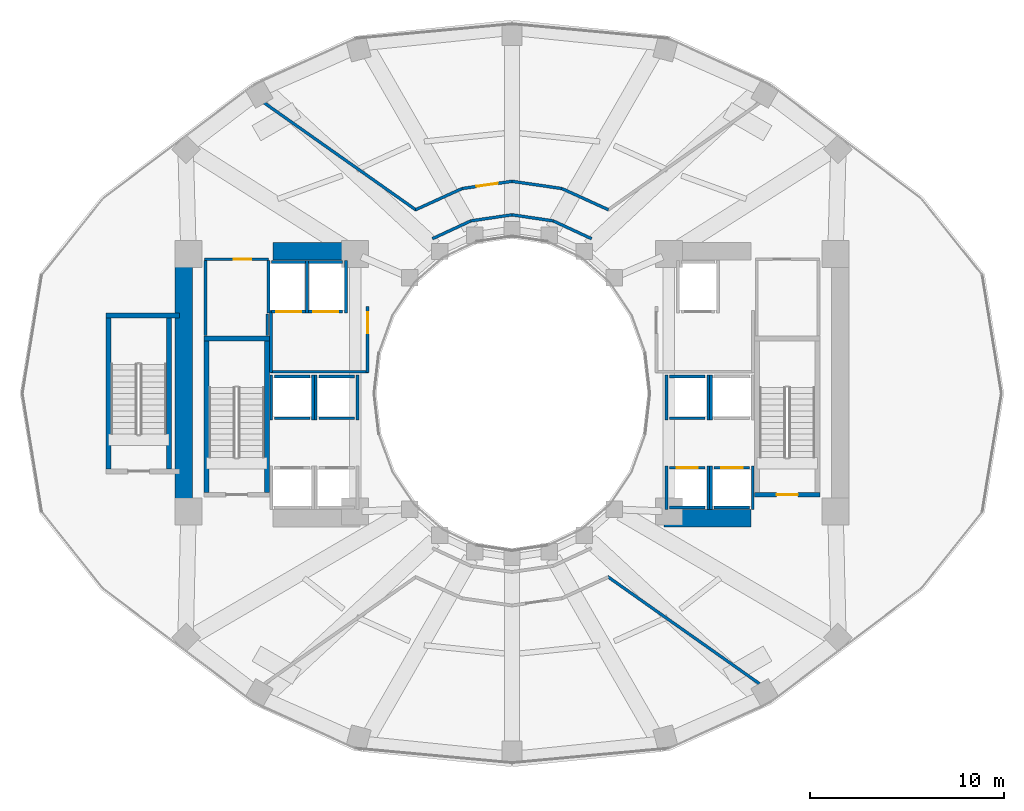
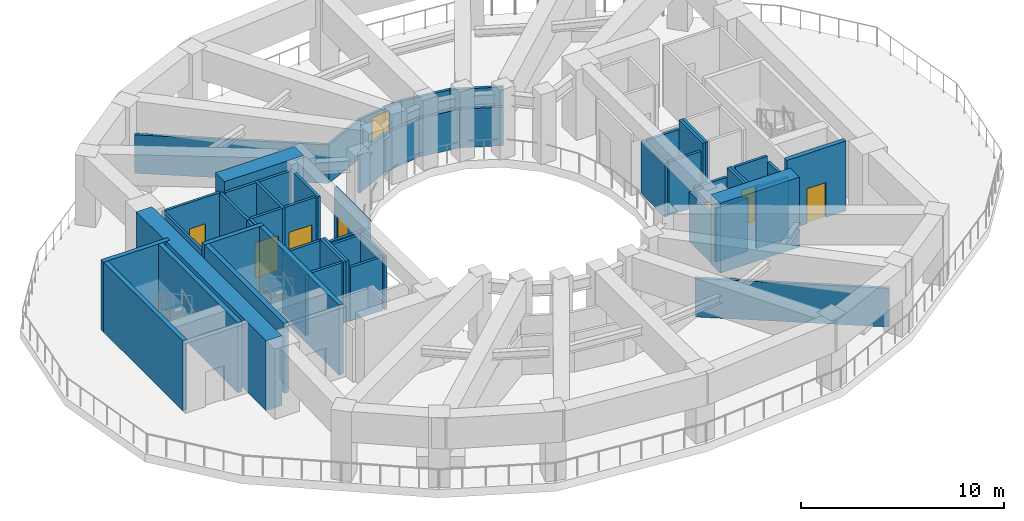
# One storey, part 3 of 10: 54 walls, 8 doors, 8 openings.
"""IFC4 building model written with IfcOpenShell, lengths in metres."""

from ifc_helpers import new_model, si_unit, direction, frame, frame_2d, origin, place, context, subcontext, project, spatial, rectangle, extrude, material, layer, layer_set, type_object, element, fill, save


model = new_model("IFC4")

# Units and contexts
model_context = context("Model", 3, precision=1e-05, world=origin(), true_north=direction((0.0, 1.0)))
body_context = subcontext(model_context, "Body", "Model", "MODEL_VIEW")
ifc_project = project(units=[si_unit("LENGTHUNIT", "METRE"), si_unit("AREAUNIT", "SQUARE_METRE"), si_unit("VOLUMEUNIT", "CUBIC_METRE"), si_unit("PLANEANGLEUNIT", "RADIAN"), si_unit("MASSUNIT", "GRAM", prefix="KILO")], contexts=[model_context])

# Site, building, storey
site_placement = place(None, origin())
site = spatial("IfcSite", under=ifc_project, at=site_placement, CompositionType="ELEMENT")
building_placement = place(site_placement, origin())
building = spatial("IfcBuilding", under=site, at=building_placement, Name="Solvane Sanctuary Tower", CompositionType="ELEMENT")
storey_placement = place(building_placement, frame((0.0, 0.0, 69.0)))
storey = spatial("IfcBuildingStorey", under=building, at=storey_placement, Name="L20", CompositionType="ELEMENT", Elevation=69.0)

# Walls
ifc_material_1 = material(Name="Concrete C70/85", Category="concrete")
ifc_layer_1 = layer(ifc_material_1, 0.89990234375, Name="Concrete C70/85")
ifc_layer_set_1 = layer_set([ifc_layer_1], Name="Concrete C70/85")
wall_type_1 = type_object("IfcWallType", Name="Wall W-CORE-900", PredefinedType="SHEAR", material=ifc_layer_set_1)
wall_1_placement = place(storey_placement, frame((15.050048828125, 17.050048828125, 0.0), z_axis=(0.0, 0.0, 1.0), x_axis=(0.0, 1.0, 0.0)))
element("IfcWall", 1, at=wall_1_placement, inside=storey, type_object=wall_type_1, Name="L20 Core Shear Wall WC-W", PredefinedType="SHEAR", context=body_context, shape_type="SweptSolid", body=[
    extrude(rectangle(XDim=12.800048828125, YDim=0.89990234375, at=frame_2d((6.39990234375, 0.0))), origin(), (0.0, 0.0, 1.0), 4.199951171875),
])
for number, where, z_axis, x_axis, name in (
    (2, (19.64990234375, 30.35009765625, 0.0), (0.0, 0.0, 1.0), (1.0, 0.0, 0.0), "L20 Core Shear Wall WC-N"),
    (3, (39.85009765625, 16.550048828125, 0.0), (0.0, 0.0, 1.0), (1.0, 0.0, 0.0), "L20 Core Shear Wall EC-S"),
):
    element("IfcWall", number, at=place(storey_placement, frame(where, z_axis=z_axis, x_axis=x_axis)), inside=storey, type_object=wall_type_1, Name=name, PredefinedType="SHEAR", context=body_context, shape_type="SweptSolid", body=[
        extrude(rectangle(XDim=4.5, YDim=0.89990234375, at=frame_2d((2.25, 0.0))), origin(), (0.0, 0.0, 1.0), 4.199951171875),
    ])
ifc_material_2 = material(Name="Acoustic Gypsum Partition Board")
ifc_layer_2 = layer(ifc_material_2, 0.14990234375, Name="Acoustic Gypsum Partition Board")
ifc_layer_set_2 = layer_set([ifc_layer_2], Name="Acoustic Gypsum Partition Board")
wall_type_2 = type_object("IfcWallType", Name="Wall W-CORR-150", PredefinedType="PARTITIONING", material=ifc_layer_set_2)
wall_2_placement = place(storey_placement, frame((19.52001953125, 24.1201171875, 0.0), z_axis=(0.0, 0.0, 1.0), x_axis=(1.0, 0.0, 0.0)))
element("IfcWall", 4, at=wall_2_placement, inside=storey, type_object=wall_type_2, Name="L20 West Firefighting Lobby South Wall", PredefinedType="PARTITIONING", context=body_context, shape_type="SweptSolid", body=[
    extrude(rectangle(XDim=5.080078125, YDim=0.14990234375, at=frame_2d((2.5400390625, 0.0))), origin(), (0.0, 0.0, 1.0), 3.219970703125),
])
wall_3_placement = place(storey_placement, frame((19.550048828125, 24.080078125, 0.0), z_axis=(0.0, 0.0, 1.0), x_axis=(0.0, 1.0, 0.0)))
element("IfcWall", 5, at=wall_3_placement, inside=storey, type_object=wall_type_2, Name="L20 West Firefighting Lobby West Wall", PredefinedType="PARTITIONING", context=body_context, shape_type="SweptSolid", body=[
    extrude(rectangle(XDim=3.199951171875, YDim=0.14990234375, at=frame_2d((1.60009765625, 0.0))), origin(), (0.0, 0.0, 1.0), 3.675048828125),
])

# Wall, opening, door
wall_4_placement = place(storey_placement, frame((24.550048828125, 24.080078125, 0.0), z_axis=(0.0, 0.0, 1.0), x_axis=(0.0, 1.0, 0.0)))
wall_4 = element("IfcWall", 6, at=wall_4_placement, inside=storey, type_object=wall_type_2, Name="L20 West Firefighting Lobby East Wall", PredefinedType="PARTITIONING", context=body_context, shape_type="SweptSolid", body=[
    extrude(rectangle(XDim=3.39990234375, YDim=0.14990234375, at=frame_2d((1.699951171875, 0.0))), origin(), (0.0, 0.0, 1.0), 3.675048828125),
])
opening_1_placement = place(wall_4_placement, frame((2.02001953125, 0.0, 0.0)))
opening_1 = element("IfcOpeningElement", 7, at=opening_1_placement, cuts=wall_4, Name="Opening D-L20-04", PredefinedType="OPENING", context=body_context, shape_type="SweptSolid", body=[
    extrude(rectangle(XDim=1.10009765625, YDim=2.10009765625, at=frame_2d((0.550048828125, 1.050048828125))), frame((0.0, 0.0849609375, 0.0), z_axis=(0.0, -1.0, 0.0), x_axis=(1.0, 0.0, 0.0)), (0.0, 0.0, 1.0), 0.169921875),
])
ifc_material_3 = material(Name="Architectural Stainless Steel 316", Category="steel")
door_type_1 = type_object("IfcDoorType", Name="Door D-FFL", OperationType="NOTDEFINED", PredefinedType="DOOR", material=ifc_material_3)
door_1_placement = place(opening_1_placement, origin())
door_1 = element("IfcDoor", 8, at=door_1_placement, inside=storey, type_object=door_type_1, Name="L20 West Firefighting Lobby Fire Door", OperationType="SINGLE_SWING_LEFT", OverallHeight=2.10009765625, OverallWidth=1.10009765625, PredefinedType="DOOR", context=body_context, shape_type="SweptSolid", body=[
    extrude(rectangle(XDim=1.10009765625, YDim=2.10009765625, at=frame_2d((0.550048828125, 1.050048828125))), frame((0.0, 0.02490234375, 0.0), z_axis=(0.0, -1.0, 0.0), x_axis=(1.0, 0.0, 0.0)), (0.0, 0.0, 1.0), 0.050048828125),
])
fill(opening_1, door_1)

# Walls
wall_5_placement = place(storey_placement, frame((36.110107421875, 30.98486328125, 0.0), z_axis=(0.0, 0.0, 1.0), x_axis=(-0.906943449489, 0.421252393975, 0.0)))
element("IfcWall", 9, at=wall_5_placement, inside=storey, type_object=wall_type_2, Name="L20 Light-Well Corridor Rim Wall N1", PredefinedType="PARTITIONING", context=body_context, shape_type="SweptSolid", body=[
    extrude(rectangle(XDim=2.18603515625, YDim=0.14990234375, at=frame_2d((1.093017578125, 0.0))), origin(), (0.0, 0.0, 1.0), 2.320068359375),
])
for number, where, z_axis, x_axis, name in (
    (10, (34.12744140625, 31.90576171875, 0.0), (0.0, 0.0, 1.0), (-0.989268584896, 0.146108408166, 0.0), "L20 Light-Well Corridor Rim Wall N2"),
    (11, (32.0, 32.219970703125, 0.0), (0.0, 0.0, 1.0), (-0.989268584896, -0.146108408166, 0.0), "L20 Light-Well Corridor Rim Wall N3"),
):
    element("IfcWall", number, at=place(storey_placement, frame(where, z_axis=z_axis, x_axis=x_axis)), inside=storey, type_object=wall_type_2, Name=name, PredefinedType="PARTITIONING", context=body_context, shape_type="SweptSolid", body=[
        extrude(rectangle(XDim=2.150634765625, YDim=0.14990234375, at=frame_2d((1.0751953125, 0.0))), origin(), (0.0, 0.0, 1.0), 2.320068359375),
    ])
wall_6_placement = place(storey_placement, frame((29.87255859375, 31.90576171875, 0.0), z_axis=(0.0, 0.0, 1.0), x_axis=(-0.906943449489, -0.421252393975, 0.0)))
element("IfcWall", 12, at=wall_6_placement, inside=storey, type_object=wall_type_2, Name="L20 Light-Well Corridor Rim Wall N4", PredefinedType="PARTITIONING", context=body_context, shape_type="SweptSolid", body=[
    extrude(rectangle(XDim=2.18603515625, YDim=0.14990234375, at=frame_2d((1.093017578125, 0.0))), origin(), (0.0, 0.0, 1.0), 2.320068359375),
])
wall_7_placement = place(storey_placement, frame((27.06591796875, 32.4541015625, 0.0), z_axis=(0.0, 0.0, 1.0), x_axis=(-0.817064271391, 0.576546595182, 0.0)))
element("IfcWall", 13, at=wall_7_placement, inside=storey, type_object=wall_type_2, Name="L20 Refuge Area Radial Screen 120", PredefinedType="PARTITIONING", context=body_context, shape_type="SweptSolid", body=[
    extrude(rectangle(XDim=9.61376953125, YDim=0.14990234375, at=frame_2d((4.806884765625, 0.0))), origin(), (0.0, 0.0, 1.0), 2.320068359375),
])
wall_8_placement = place(storey_placement, frame((36.98095703125, 32.479248046875, 0.0), z_axis=(0.0, 0.0, 1.0), x_axis=(-0.909819048293, 0.415005179923, 0.0)))
element("IfcWall", 14, at=wall_8_placement, inside=storey, type_object=wall_type_2, Name="L20 Refuge Lobby Wall 1", PredefinedType="PARTITIONING", context=body_context, shape_type="SweptSolid", body=[
    extrude(rectangle(XDim=2.64599609375, YDim=0.14990234375, at=frame_2d((1.322998046875, 0.0))), origin(), (0.0, 0.0, 1.0), 2.320068359375),
])
wall_9_placement = place(storey_placement, frame((34.576904296875, 33.576416015625, 0.0), z_axis=(0.0, 0.0, 1.0), x_axis=(-0.989670234806, 0.143362569518, 0.0)))
element("IfcWall", 15, at=wall_9_placement, inside=storey, type_object=wall_type_2, Name="L20 Refuge Lobby Wall 1", PredefinedType="PARTITIONING", context=body_context, shape_type="SweptSolid", body=[
    extrude(rectangle(XDim=2.60546875, YDim=0.14990234375, at=frame_2d((1.302734375, 0.0))), origin(), (0.0, 0.0, 1.0), 2.320068359375),
])

# Wall, opening, door
wall_10_placement = place(storey_placement, frame((32.001708984375, 33.949951171875, 0.0), z_axis=(0.0, 0.0, 1.0), x_axis=(-0.989670234806, -0.143362569518, 0.0)))
wall_10 = element("IfcWall", 16, at=wall_10_placement, inside=storey, type_object=wall_type_2, Name="L20 Refuge Lobby Wall 1", PredefinedType="PARTITIONING", context=body_context, shape_type="SweptSolid", body=[
    extrude(rectangle(XDim=2.60546875, YDim=0.14990234375, at=frame_2d((1.302734375, 0.0))), origin(), (0.0, 0.0, 1.0), 2.320068359375),
])
opening_2_placement = place(wall_10_placement, frame((0.752685546875, 0.0, 0.0)))
opening_2 = element("IfcOpeningElement", 17, at=opening_2_placement, cuts=wall_10, Name="Opening D-L20-06", PredefinedType="OPENING", context=body_context, shape_type="SweptSolid", body=[
    extrude(rectangle(XDim=1.10009765625, YDim=2.10009765625, at=frame_2d((0.550048828125, 1.050048828125))), frame((0.0, 0.0849609375, 0.0), z_axis=(0.0, -1.0, 0.0), x_axis=(1.0, 0.0, 0.0)), (0.0, 0.0, 1.0), 0.169921875),
])
door_2_placement = place(opening_2_placement, origin())
door_2 = element("IfcDoor", 18, at=door_2_placement, inside=storey, type_object=door_type_1, Name="L20 North Open Sky Refuge Deck Door", OperationType="SINGLE_SWING_LEFT", OverallHeight=2.10009765625, OverallWidth=1.10009765625, PredefinedType="DOOR", context=body_context, shape_type="SweptSolid", body=[
    extrude(rectangle(XDim=1.10009765625, YDim=2.10009765625, at=frame_2d((0.550048828125, 1.050048828125))), frame((0.0, 0.02490234375, 0.0), z_axis=(0.0, -1.0, 0.0), x_axis=(1.0, 0.0, 0.0)), (0.0, 0.0, 1.0), 0.050048828125),
])
fill(opening_2, door_2)

# Walls
wall_11_placement = place(storey_placement, frame((29.426513671875, 33.577392578125, 0.0), z_axis=(0.0, 0.0, 1.0), x_axis=(-0.909819048293, -0.415005179923, 0.0)))
element("IfcWall", 19, at=wall_11_placement, inside=storey, type_object=wall_type_2, Name="L20 Refuge Lobby Wall 1", PredefinedType="PARTITIONING", context=body_context, shape_type="SweptSolid", body=[
    extrude(rectangle(XDim=2.64599609375, YDim=0.14990234375, at=frame_2d((1.322998046875, 0.0))), origin(), (0.0, 0.0, 1.0), 2.320068359375),
])
wall_12_placement = place(storey_placement, frame((36.93408203125, 13.5458984375, 0.0), z_axis=(0.0, 0.0, 1.0), x_axis=(0.817064271391, -0.576546595182, 0.0)))
element("IfcWall", 20, at=wall_12_placement, inside=storey, type_object=wall_type_2, Name="L20 Refuge Area Radial Screen 300", PredefinedType="PARTITIONING", context=body_context, shape_type="SweptSolid", body=[
    extrude(rectangle(XDim=9.61376953125, YDim=0.14990234375, at=frame_2d((4.806884765625, 0.0))), origin(), (0.0, 0.0, 1.0), 2.320068359375),
])

# Wall, opening, door
ifc_material_4 = material(Name="Concrete C50/60", Category="concrete")
ifc_layer_3 = layer(ifc_material_4, 0.14990234375, Name="Concrete C50/60")
ifc_layer_set_3 = layer_set([ifc_layer_3], Name="Concrete C50/60")
wall_type_3 = type_object("IfcWallType", Name="Wall W-SHAFT-150", PredefinedType="SOLIDWALL", material=ifc_layer_set_3)
wall_13_placement = place(storey_placement, frame((40.139892578125, 19.159912109375, 0.0), z_axis=(0.0, 0.0, 1.0), x_axis=(1.0, 0.0, 0.0)))
wall_13 = element("IfcWall", 21, at=wall_13_placement, inside=storey, type_object=wall_type_3, Name="L20 PL-3 Lift Shaft Wall F", PredefinedType="SOLIDWALL", context=body_context, shape_type="SweptSolid", body=[
    extrude(rectangle(XDim=1.820068359375, YDim=0.14990234375, at=frame_2d((0.91015625, 0.0))), origin(), (0.0, 0.0, 1.0), 3.219970703125),
])
opening_3_placement = place(wall_13_placement, frame((0.360107421875, 0.0, 0.0)))
opening_3 = element("IfcOpeningElement", 22, at=opening_3_placement, cuts=wall_13, Name="Opening LD-L20-03", PredefinedType="OPENING", context=body_context, shape_type="SweptSolid", body=[
    extrude(rectangle(XDim=1.10009765625, YDim=2.10009765625, at=frame_2d((0.550048828125, 1.050048828125))), frame((0.0, 0.0849609375, 0.0), z_axis=(0.0, -1.0, 0.0), x_axis=(1.0, 0.0, 0.0)), (0.0, 0.0, 1.0), 0.169921875),
])
door_type_2 = type_object("IfcDoorType", Name="Door LD-PASS-1100", OperationType="NOTDEFINED", PredefinedType="DOOR", material=ifc_material_3)
door_3_placement = place(opening_3_placement, origin())
door_3 = element("IfcDoor", 23, at=door_3_placement, inside=storey, type_object=door_type_2, Name="L20 PL-3 Lift Landing Door", OperationType="DOUBLE_DOOR_SLIDING", OverallHeight=2.10009765625, OverallWidth=1.10009765625, PredefinedType="DOOR", context=body_context, shape_type="SweptSolid", body=[
    extrude(rectangle(XDim=1.10009765625, YDim=2.10009765625, at=frame_2d((0.550048828125, 1.050048828125))), frame((0.0, 0.02490234375, 0.0), z_axis=(0.0, -1.0, 0.0), x_axis=(1.0, 0.0, 0.0)), (0.0, 0.0, 1.0), 0.050048828125),
])
fill(opening_3, door_3)

# Walls
wall_14_placement = place(storey_placement, frame((40.139892578125, 17.10009765625, 0.0), z_axis=(0.0, 0.0, 1.0), x_axis=(1.0, 0.0, 0.0)))
element("IfcWall", 24, at=wall_14_placement, inside=storey, type_object=wall_type_3, Name="L20 PL-3 Lift Shaft Wall B", PredefinedType="SOLIDWALL", context=body_context, shape_type="SweptSolid", body=[
    extrude(rectangle(XDim=1.820068359375, YDim=0.14990234375, at=frame_2d((0.91015625, 0.0))), origin(), (0.0, 0.0, 1.0), 3.219970703125),
])
wall_15_placement = place(storey_placement, frame((39.969970703125, 17.02001953125, 0.0), z_axis=(0.0, 0.0, 1.0), x_axis=(0.0, 1.0, 0.0)))
element("IfcWall", 25, at=wall_15_placement, inside=storey, type_object=wall_type_3, Name="L20 PL-3 Lift Shaft Wall S1", PredefinedType="SOLIDWALL", context=body_context, shape_type="SweptSolid", body=[
    extrude(rectangle(XDim=2.219970703125, YDim=0.14990234375, at=frame_2d((1.10986328125, 0.0))), origin(), (0.0, 0.0, 1.0), 2.972900390625),
])
wall_16_placement = place(storey_placement, frame((42.1298828125, 17.02001953125, 0.0), z_axis=(0.0, 0.0, 1.0), x_axis=(0.0, 1.0, 0.0)))
element("IfcWall", 26, at=wall_16_placement, inside=storey, type_object=wall_type_3, Name="L20 PL-3 Lift Shaft Wall S2", PredefinedType="SOLIDWALL", context=body_context, shape_type="SweptSolid", body=[
    extrude(rectangle(XDim=2.219970703125, YDim=0.14990234375, at=frame_2d((1.10986328125, 0.0))), origin(), (0.0, 0.0, 1.0), 3.675048828125),
])

# Wall, opening, door
wall_17_placement = place(storey_placement, frame((42.43994140625, 19.159912109375, 0.0), z_axis=(0.0, 0.0, 1.0), x_axis=(1.0, 0.0, 0.0)))
wall_17 = element("IfcWall", 27, at=wall_17_placement, inside=storey, type_object=wall_type_3, Name="L20 PL-4 Lift Shaft Wall F", PredefinedType="SOLIDWALL", context=body_context, shape_type="SweptSolid", body=[
    extrude(rectangle(XDim=1.820068359375, YDim=0.14990234375, at=frame_2d((0.91015625, 0.0))), origin(), (0.0, 0.0, 1.0), 3.675048828125),
])
opening_4_placement = place(wall_17_placement, frame((0.360107421875, 0.0, 0.0)))
opening_4 = element("IfcOpeningElement", 28, at=opening_4_placement, cuts=wall_17, Name="Opening LD-L20-04", PredefinedType="OPENING", context=body_context, shape_type="SweptSolid", body=[
    extrude(rectangle(XDim=1.10009765625, YDim=2.10009765625, at=frame_2d((0.550048828125, 1.050048828125))), frame((0.0, 0.0849609375, 0.0), z_axis=(0.0, -1.0, 0.0), x_axis=(1.0, 0.0, 0.0)), (0.0, 0.0, 1.0), 0.169921875),
])
door_4_placement = place(opening_4_placement, origin())
door_4 = element("IfcDoor", 29, at=door_4_placement, inside=storey, type_object=door_type_2, Name="L20 PL-4 Lift Landing Door", OperationType="DOUBLE_DOOR_SLIDING", OverallHeight=2.10009765625, OverallWidth=1.10009765625, PredefinedType="DOOR", context=body_context, shape_type="SweptSolid", body=[
    extrude(rectangle(XDim=1.10009765625, YDim=2.10009765625, at=frame_2d((0.550048828125, 1.050048828125))), frame((0.0, 0.02490234375, 0.0), z_axis=(0.0, -1.0, 0.0), x_axis=(1.0, 0.0, 0.0)), (0.0, 0.0, 1.0), 0.050048828125),
])
fill(opening_4, door_4)

# Walls
wall_18_placement = place(storey_placement, frame((42.43994140625, 17.10009765625, 0.0), z_axis=(0.0, 0.0, 1.0), x_axis=(1.0, 0.0, 0.0)))
element("IfcWall", 30, at=wall_18_placement, inside=storey, type_object=wall_type_3, Name="L20 PL-4 Lift Shaft Wall B", PredefinedType="SOLIDWALL", context=body_context, shape_type="SweptSolid", body=[
    extrude(rectangle(XDim=1.820068359375, YDim=0.14990234375, at=frame_2d((0.91015625, 0.0))), origin(), (0.0, 0.0, 1.0), 3.675048828125),
])
wall_19_placement = place(storey_placement, frame((42.27001953125, 17.02001953125, 0.0), z_axis=(0.0, 0.0, 1.0), x_axis=(0.0, 1.0, 0.0)))
element("IfcWall", 31, at=wall_19_placement, inside=storey, type_object=wall_type_3, Name="L20 PL-4 Lift Shaft Wall S1", PredefinedType="SOLIDWALL", context=body_context, shape_type="SweptSolid", body=[
    extrude(rectangle(XDim=2.219970703125, YDim=0.14990234375, at=frame_2d((1.10986328125, 0.0))), origin(), (0.0, 0.0, 1.0), 3.675048828125),
])
wall_20_placement = place(storey_placement, frame((44.429931640625, 17.02001953125, 0.0), z_axis=(0.0, 0.0, 1.0), x_axis=(0.0, 1.0, 0.0)))
element("IfcWall", 32, at=wall_20_placement, inside=storey, type_object=wall_type_3, Name="L20 PL-4 Lift Shaft Wall S2", PredefinedType="SOLIDWALL", context=body_context, shape_type="SweptSolid", body=[
    extrude(rectangle(XDim=2.219970703125, YDim=0.14990234375, at=frame_2d((1.10986328125, 0.0))), origin(), (0.0, 0.0, 1.0), 3.219970703125),
])
for number, where, z_axis, x_axis, name in (
    (33, (19.739990234375, 21.719970703125, 0.0), (0.0, 0.0, 1.0), (1.0, 0.0, 0.0), "L20 PM-1 Lift Shaft Wall F"),
    (34, (19.739990234375, 23.8798828125, 0.0), (0.0, 0.0, 1.0), (1.0, 0.0, 0.0), "L20 PM-1 Lift Shaft Wall B"),
):
    element("IfcWall", number, at=place(storey_placement, frame(where, z_axis=z_axis, x_axis=x_axis)), inside=storey, type_object=wall_type_3, Name=name, PredefinedType="SOLIDWALL", context=body_context, shape_type="SweptSolid", body=[
        extrude(rectangle(XDim=1.820068359375, YDim=0.14990234375, at=frame_2d((0.91015625, 0.0))), origin(), (0.0, 0.0, 1.0), 3.675048828125),
    ])
for number, where, z_axis, x_axis, name in (
    (35, (19.570068359375, 21.639892578125, 0.0), (0.0, 0.0, 1.0), (0.0, 1.0, 0.0), "L20 PM-1 Lift Shaft Wall S1"),
    (36, (21.72998046875, 21.639892578125, 0.0), (0.0, 0.0, 1.0), (0.0, 1.0, 0.0), "L20 PM-1 Lift Shaft Wall S2"),
    (37, (42.27001953125, 21.639892578125, 0.0), (0.0, 0.0, 1.0), (0.0, 1.0, 0.0), "L20 PM-2 Lift Shaft Wall S1"),
):
    element("IfcWall", number, at=place(storey_placement, frame(where, z_axis=z_axis, x_axis=x_axis)), inside=storey, type_object=wall_type_3, Name=name, PredefinedType="SOLIDWALL", context=body_context, shape_type="SweptSolid", body=[
        extrude(rectangle(XDim=2.320068359375, YDim=0.14990234375, at=frame_2d((1.16015625, 0.0))), origin(), (0.0, 0.0, 1.0), 3.675048828125),
    ])
for number, where, z_axis, x_axis, name in (
    (38, (22.0400390625, 21.719970703125, 0.0), (0.0, 0.0, 1.0), (1.0, 0.0, 0.0), "L20 PH-1 Lift Shaft Wall F"),
    (39, (22.0400390625, 23.8798828125, 0.0), (0.0, 0.0, 1.0), (1.0, 0.0, 0.0), "L20 PH-1 Lift Shaft Wall B"),
):
    element("IfcWall", number, at=place(storey_placement, frame(where, z_axis=z_axis, x_axis=x_axis)), inside=storey, type_object=wall_type_3, Name=name, PredefinedType="SOLIDWALL", context=body_context, shape_type="SweptSolid", body=[
        extrude(rectangle(XDim=1.820068359375, YDim=0.14990234375, at=frame_2d((0.91015625, 0.0))), origin(), (0.0, 0.0, 1.0), 3.219970703125),
    ])
wall_21_placement = place(storey_placement, frame((21.8701171875, 21.639892578125, 0.0), z_axis=(0.0, 0.0, 1.0), x_axis=(0.0, 1.0, 0.0)))
element("IfcWall", 40, at=wall_21_placement, inside=storey, type_object=wall_type_3, Name="L20 PH-1 Lift Shaft Wall S1", PredefinedType="SOLIDWALL", context=body_context, shape_type="SweptSolid", body=[
    extrude(rectangle(XDim=2.320068359375, YDim=0.14990234375, at=frame_2d((1.16015625, 0.0))), origin(), (0.0, 0.0, 1.0), 3.675048828125),
])
wall_22_placement = place(storey_placement, frame((24.030029296875, 21.639892578125, 0.0), z_axis=(0.0, 0.0, 1.0), x_axis=(0.0, 1.0, 0.0)))
element("IfcWall", 41, at=wall_22_placement, inside=storey, type_object=wall_type_3, Name="L20 PH-1 Lift Shaft Wall S2", PredefinedType="SOLIDWALL", context=body_context, shape_type="SweptSolid", body=[
    extrude(rectangle(XDim=2.320068359375, YDim=0.14990234375, at=frame_2d((1.16015625, 0.0))), origin(), (0.0, 0.0, 1.0), 3.219970703125),
])
for number, where, z_axis, x_axis, name in (
    (42, (40.139892578125, 21.719970703125, 0.0), (0.0, 0.0, 1.0), (1.0, 0.0, 0.0), "L20 PH-2 Lift Shaft Wall F"),
    (43, (40.139892578125, 23.8798828125, 0.0), (0.0, 0.0, 1.0), (1.0, 0.0, 0.0), "L20 PH-2 Lift Shaft Wall B"),
):
    element("IfcWall", number, at=place(storey_placement, frame(where, z_axis=z_axis, x_axis=x_axis)), inside=storey, type_object=wall_type_3, Name=name, PredefinedType="SOLIDWALL", context=body_context, shape_type="SweptSolid", body=[
        extrude(rectangle(XDim=1.820068359375, YDim=0.14990234375, at=frame_2d((0.91015625, 0.0))), origin(), (0.0, 0.0, 1.0), 3.219970703125),
    ])
wall_23_placement = place(storey_placement, frame((39.969970703125, 21.639892578125, 0.0), z_axis=(0.0, 0.0, 1.0), x_axis=(0.0, 1.0, 0.0)))
element("IfcWall", 44, at=wall_23_placement, inside=storey, type_object=wall_type_3, Name="L20 PH-2 Lift Shaft Wall S1", PredefinedType="SOLIDWALL", context=body_context, shape_type="SweptSolid", body=[
    extrude(rectangle(XDim=2.320068359375, YDim=0.14990234375, at=frame_2d((1.16015625, 0.0))), origin(), (0.0, 0.0, 1.0), 3.219970703125),
])
wall_24_placement = place(storey_placement, frame((42.1298828125, 21.639892578125, 0.0), z_axis=(0.0, 0.0, 1.0), x_axis=(0.0, 1.0, 0.0)))
element("IfcWall", 45, at=wall_24_placement, inside=storey, type_object=wall_type_3, Name="L20 PH-2 Lift Shaft Wall S2", PredefinedType="SOLIDWALL", context=body_context, shape_type="SweptSolid", body=[
    extrude(rectangle(XDim=2.320068359375, YDim=0.14990234375, at=frame_2d((1.16015625, 0.0))), origin(), (0.0, 0.0, 1.0), 3.675048828125),
])

# Wall, opening, door
wall_25_placement = place(storey_placement, frame((19.590087890625, 27.219970703125, 0.0), z_axis=(0.0, 0.0, 1.0), x_axis=(1.0, 0.0, 0.0)))
wall_25 = element("IfcWall", 46, at=wall_25_placement, inside=storey, type_object=wall_type_3, Name="L20 FFL-1 Lift Shaft Wall F", PredefinedType="SOLIDWALL", context=body_context, shape_type="SweptSolid", body=[
    extrude(rectangle(XDim=1.760009765625, YDim=0.14990234375, at=frame_2d((0.8798828125, 0.0))), origin(), (0.0, 0.0, 1.0), 3.675048828125),
])
opening_5_placement = place(wall_25_placement, frame((0.22998046875, 0.0, 0.0)))
opening_5 = element("IfcOpeningElement", 47, at=opening_5_placement, cuts=wall_25, Name="Opening LD-L20-05", PredefinedType="OPENING", context=body_context, shape_type="SweptSolid", body=[
    extrude(rectangle(XDim=1.300048828125, YDim=2.10009765625, at=frame_2d((0.64990234375, 1.050048828125))), frame((0.0, 0.0849609375, 0.0), z_axis=(0.0, -1.0, 0.0), x_axis=(1.0, 0.0, 0.0)), (0.0, 0.0, 1.0), 0.169921875),
])
door_type_3 = type_object("IfcDoorType", Name="Door LD-FFL-1300", OperationType="NOTDEFINED", PredefinedType="DOOR", material=ifc_material_3)
door_5_placement = place(opening_5_placement, origin())
door_5 = element("IfcDoor", 48, at=door_5_placement, inside=storey, type_object=door_type_3, Name="L20 FFL-1 Lift Landing Door", OperationType="DOUBLE_DOOR_SLIDING", OverallHeight=2.10009765625, OverallWidth=1.300048828125, PredefinedType="DOOR", context=body_context, shape_type="SweptSolid", body=[
    extrude(rectangle(XDim=1.300048828125, YDim=2.10009765625, at=frame_2d((0.64990234375, 1.050048828125))), frame((0.0, 0.02490234375, 0.0), z_axis=(0.0, -1.0, 0.0), x_axis=(1.0, 0.0, 0.0)), (0.0, 0.0, 1.0), 0.050048828125),
])
fill(opening_5, door_5)

# Walls
wall_26_placement = place(storey_placement, frame((19.590087890625, 29.780029296875, 0.0), z_axis=(0.0, 0.0, 1.0), x_axis=(1.0, 0.0, 0.0)))
element("IfcWall", 49, at=wall_26_placement, inside=storey, type_object=wall_type_3, Name="L20 FFL-1 Lift Shaft Wall B", PredefinedType="SOLIDWALL", context=body_context, shape_type="SweptSolid", body=[
    extrude(rectangle(XDim=1.760009765625, YDim=0.14990234375, at=frame_2d((0.8798828125, 0.0))), origin(), (0.0, 0.0, 1.0), 3.675048828125),
])
for number, where, z_axis, x_axis, name in (
    (50, (19.419921875, 27.139892578125, 0.0), (0.0, 0.0, 1.0), (0.0, 1.0, 0.0), "L20 FFL-1 Lift Shaft Wall S1"),
    (51, (21.425048828125, 27.139892578125, 0.0), (0.0, 0.0, 1.0), (0.0, 1.0, 0.0), "L20 FFL-1 Lift Shaft Wall S2"),
):
    element("IfcWall", number, at=place(storey_placement, frame(where, z_axis=z_axis, x_axis=x_axis)), inside=storey, type_object=wall_type_3, Name=name, PredefinedType="SOLIDWALL", context=body_context, shape_type="SweptSolid", body=[
        extrude(rectangle(XDim=2.72021484375, YDim=0.14990234375, at=frame_2d((1.360107421875, 0.0))), origin(), (0.0, 0.0, 1.0), 3.675048828125),
    ])

# Wall, opening, door
wall_27_placement = place(storey_placement, frame((21.5, 27.219970703125, 0.0), z_axis=(0.0, 0.0, 1.0), x_axis=(1.0, 0.0, 0.0)))
wall_27 = element("IfcWall", 52, at=wall_27_placement, inside=storey, type_object=wall_type_3, Name="L20 SVL-1 Lift Shaft Wall F", PredefinedType="SOLIDWALL", context=body_context, shape_type="SweptSolid", body=[
    extrude(rectangle(XDim=1.760009765625, YDim=0.14990234375, at=frame_2d((0.8798828125, 0.0))), origin(), (0.0, 0.0, 1.0), 3.675048828125),
])
opening_6_placement = place(wall_27_placement, frame((0.22998046875, 0.0, 0.0)))
opening_6 = element("IfcOpeningElement", 53, at=opening_6_placement, cuts=wall_27, Name="Opening LD-L20-06", PredefinedType="OPENING", context=body_context, shape_type="SweptSolid", body=[
    extrude(rectangle(XDim=1.300048828125, YDim=2.10009765625, at=frame_2d((0.64990234375, 1.050048828125))), frame((0.0, 0.0849609375, 0.0), z_axis=(0.0, -1.0, 0.0), x_axis=(1.0, 0.0, 0.0)), (0.0, 0.0, 1.0), 0.169921875),
])
door_6_placement = place(opening_6_placement, origin())
door_6 = element("IfcDoor", 54, at=door_6_placement, inside=storey, type_object=door_type_3, Name="L20 SVL-1 Lift Landing Door", OperationType="DOUBLE_DOOR_SLIDING", OverallHeight=2.10009765625, OverallWidth=1.300048828125, PredefinedType="DOOR", context=body_context, shape_type="SweptSolid", body=[
    extrude(rectangle(XDim=1.300048828125, YDim=2.10009765625, at=frame_2d((0.64990234375, 1.050048828125))), frame((0.0, 0.02490234375, 0.0), z_axis=(0.0, -1.0, 0.0), x_axis=(1.0, 0.0, 0.0)), (0.0, 0.0, 1.0), 0.050048828125),
])
fill(opening_6, door_6)

# Walls
wall_28_placement = place(storey_placement, frame((21.5, 29.780029296875, 0.0), z_axis=(0.0, 0.0, 1.0), x_axis=(1.0, 0.0, 0.0)))
element("IfcWall", 55, at=wall_28_placement, inside=storey, type_object=wall_type_3, Name="L20 SVL-1 Lift Shaft Wall B", PredefinedType="SOLIDWALL", context=body_context, shape_type="SweptSolid", body=[
    extrude(rectangle(XDim=1.760009765625, YDim=0.14990234375, at=frame_2d((0.8798828125, 0.0))), origin(), (0.0, 0.0, 1.0), 3.675048828125),
])
wall_29_placement = place(storey_placement, frame((23.429931640625, 27.139892578125, 0.0), z_axis=(0.0, 0.0, 1.0), x_axis=(0.0, 1.0, 0.0)))
element("IfcWall", 56, at=wall_29_placement, inside=storey, type_object=wall_type_3, Name="L20 SVL-1 Lift Shaft Wall S2", PredefinedType="SOLIDWALL", context=body_context, shape_type="SweptSolid", body=[
    extrude(rectangle(XDim=2.72021484375, YDim=0.14990234375, at=frame_2d((1.360107421875, 0.0))), origin(), (0.0, 0.0, 1.0), 3.675048828125),
])
ifc_layer_4 = layer(ifc_material_4, 0.25, Name="Concrete C50/60")
ifc_layer_set_4 = layer_set([ifc_layer_4], Name="Concrete C50/60")
wall_type_4 = type_object("IfcWallType", Name="Wall W-SHAFT-250", PredefinedType="SOLIDWALL", material=ifc_layer_set_4)
wall_30_placement = place(storey_placement, frame((16.10498046875, 25.830078125, 0.0), z_axis=(0.0, 0.0, 1.0), x_axis=(1.0, 0.0, 0.0)))
element("IfcWall", 57, at=wall_30_placement, inside=storey, type_object=wall_type_4, Name="L20 ST-1 Load-Bearing Shaft Wall N", PredefinedType="SOLIDWALL", context=body_context, shape_type="SweptSolid", body=[
    extrude(rectangle(XDim=3.3701171875, YDim=0.25, at=frame_2d((1.68505859375, 0.0))), origin(), (0.0, 0.0, 1.0), 4.199951171875),
])
for number, where, z_axis, x_axis, name in (
    (58, (16.22998046875, 17.89501953125, 0.0), (0.0, 0.0, 1.0), (0.0, 1.0, 0.0), "L20 ST-1 Load-Bearing Shaft Wall W"),
    (59, (19.35009765625, 17.89501953125, 0.0), (0.0, 0.0, 1.0), (0.0, 1.0, 0.0), "L20 ST-1 Load-Bearing Shaft Wall E"),
):
    element("IfcWall", number, at=place(storey_placement, frame(where, z_axis=z_axis, x_axis=x_axis)), inside=storey, type_object=wall_type_4, Name=name, PredefinedType="SOLIDWALL", context=body_context, shape_type="SweptSolid", body=[
        extrude(rectangle(XDim=7.81005859375, YDim=0.25, at=frame_2d((3.905029296875, 0.0))), origin(), (0.0, 0.0, 1.0), 4.199951171875),
    ])

# Wall, opening, door
wall_31_placement = place(storey_placement, frame((44.52490234375, 17.77001953125, 0.0), z_axis=(0.0, 0.0, 1.0), x_axis=(1.0, 0.0, 0.0)))
wall_31 = element("IfcWall", 60, at=wall_31_placement, inside=storey, type_object=wall_type_4, Name="L20 ST-2 Load-Bearing Shaft Wall S", PredefinedType="SOLIDWALL", context=body_context, shape_type="SweptSolid", body=[
    extrude(rectangle(XDim=3.3701171875, YDim=0.25, at=frame_2d((1.68505859375, 0.0))), origin(), (0.0, 0.0, 1.0), 4.199951171875),
])
opening_7_placement = place(wall_31_placement, frame((1.135009765625, 0.0, 0.0)))
opening_7 = element("IfcOpeningElement", 61, at=opening_7_placement, cuts=wall_31, Name="Opening D-L20-02", PredefinedType="OPENING", context=body_context, shape_type="SweptSolid", body=[
    extrude(rectangle(XDim=1.10009765625, YDim=2.10009765625, at=frame_2d((0.550048828125, 1.050048828125))), frame((0.0, 0.135009765625, 0.0), z_axis=(0.0, -1.0, 0.0), x_axis=(1.0, 0.0, 0.0)), (0.0, 0.0, 1.0), 0.27001953125),
])
door_type_4 = type_object("IfcDoorType", Name="Door D-STAIR", OperationType="NOTDEFINED", PredefinedType="DOOR", material=ifc_material_3)
door_7_placement = place(opening_7_placement, origin())
door_7 = element("IfcDoor", 62, at=door_7_placement, inside=storey, type_object=door_type_4, Name="L20 ST-2 Exit Stair Fire Door", OperationType="SINGLE_SWING_LEFT", OverallHeight=2.10009765625, OverallWidth=1.10009765625, PredefinedType="DOOR", context=body_context, shape_type="SweptSolid", body=[
    extrude(rectangle(XDim=1.10009765625, YDim=2.10009765625, at=frame_2d((0.550048828125, 1.050048828125))), frame((0.0, 0.02490234375, 0.0), z_axis=(0.0, -1.0, 0.0), x_axis=(1.0, 0.0, 0.0)), (0.0, 0.0, 1.0), 0.050048828125),
])
fill(opening_7, door_7)

# Walls
wall_32_placement = place(storey_placement, frame((11.044921875, 27.030029296875, 0.0), z_axis=(0.0, 0.0, 1.0), x_axis=(1.0, 0.0, 0.0)))
element("IfcWall", 63, at=wall_32_placement, inside=storey, type_object=wall_type_4, Name="L20 ST-3 Load-Bearing Shaft Wall N", PredefinedType="SOLIDWALL", context=body_context, shape_type="SweptSolid", body=[
    extrude(rectangle(XDim=3.781982421875, YDim=0.25, at=frame_2d((1.89111328125, 0.0))), origin(), (0.0, 0.0, 1.0), 4.199951171875),
])
for number, where, z_axis, x_axis, name in (
    (64, (11.169921875, 19.094970703125, 0.0), (0.0, 0.0, 1.0), (0.0, 1.0, 0.0), "L20 ST-3 Load-Bearing Shaft Wall W"),
    (65, (14.2900390625, 19.094970703125, 0.0), (0.0, 0.0, 1.0), (0.0, 1.0, 0.0), "L20 ST-3 Load-Bearing Shaft Wall E"),
):
    element("IfcWall", number, at=place(storey_placement, frame(where, z_axis=z_axis, x_axis=x_axis)), inside=storey, type_object=wall_type_4, Name=name, PredefinedType="SOLIDWALL", context=body_context, shape_type="SweptSolid", body=[
        extrude(rectangle(XDim=7.81005859375, YDim=0.25, at=frame_2d((3.905029296875, 0.0))), origin(), (0.0, 0.0, 1.0), 4.199951171875),
    ])

# Wall, opening, door
ifc_layer_5 = layer(ifc_material_2, 0.139892578125, Name="Acoustic Gypsum Partition Board")
ifc_layer_set_5 = layer_set([ifc_layer_5], Name="Acoustic Gypsum Partition Board")
wall_type_5 = type_object("IfcWallType", Name="Wall W-WET-140", PredefinedType="PLUMBINGWALL", material=ifc_layer_set_5)
wall_33_placement = place(storey_placement, frame((16.1201171875, 29.919921875, 0.0), z_axis=(0.0, 0.0, 1.0), x_axis=(1.0, 0.0, 0.0)))
wall_33 = element("IfcWall", 66, at=wall_33_placement, inside=storey, type_object=wall_type_5, Name="L20 Refuge WC Front Wall", PredefinedType="PLUMBINGWALL", context=body_context, shape_type="SweptSolid", body=[
    extrude(rectangle(XDim=3.2998046875, YDim=0.139892578125, at=frame_2d((1.64990234375, 0.0))), origin(), (0.0, 0.0, 1.0), 3.675048828125),
])
opening_8_placement = place(wall_33_placement, frame((1.52099609375, 0.0, 0.0)))
opening_8 = element("IfcOpeningElement", 67, at=opening_8_placement, cuts=wall_33, Name="Opening D-L20-08", PredefinedType="OPENING", context=body_context, shape_type="SweptSolid", body=[
    extrude(rectangle(XDim=0.89990234375, YDim=2.10009765625, at=frame_2d((0.449951171875, 1.050048828125))), frame((0.0, 0.079833984375, 0.0), z_axis=(0.0, -1.0, 0.0), x_axis=(1.0, 0.0, 0.0)), (0.0, 0.0, 1.0), 0.159912109375),
])
ifc_material_5 = material(Name="Engineered Tropical Hardwood", Category="wood")
door_type_5 = type_object("IfcDoorType", Name="Door D-WET-900", OperationType="NOTDEFINED", PredefinedType="DOOR", material=ifc_material_5)
door_8_placement = place(opening_8_placement, origin())
door_8 = element("IfcDoor", 68, at=door_8_placement, inside=storey, type_object=door_type_5, Name="L20 Refuge Accessible WC Door", OperationType="SINGLE_SWING_LEFT", OverallHeight=2.10009765625, OverallWidth=0.89990234375, PredefinedType="DOOR", context=body_context, shape_type="SweptSolid", body=[
    extrude(rectangle(XDim=0.89990234375, YDim=2.10009765625, at=frame_2d((0.449951171875, 1.050048828125))), frame((0.0, 0.02490234375, 0.0), z_axis=(0.0, -1.0, 0.0), x_axis=(1.0, 0.0, 0.0)), (0.0, 0.0, 1.0), 0.050048828125),
])
fill(opening_8, door_8)

# Walls
wall_34_placement = place(storey_placement, frame((16.179931640625, 25.97998046875, 0.0), z_axis=(0.0, 0.0, 1.0), x_axis=(0.0, 1.0, 0.0)))
element("IfcWall", 69, at=wall_34_placement, inside=storey, type_object=wall_type_5, Name="L20 Refuge WC West Wall", PredefinedType="PLUMBINGWALL", context=body_context, shape_type="SweptSolid", body=[
    extrude(rectangle(XDim=3.880126953125, YDim=0.139892578125, at=frame_2d((1.93994140625, 0.0))), origin(), (0.0, 0.0, 1.0), 3.675048828125),
])
wall_35_placement = place(storey_placement, frame((19.360107421875, 25.97998046875, 0.0), z_axis=(0.0, 0.0, 1.0), x_axis=(0.0, 1.0, 0.0)))
element("IfcWall", 70, at=wall_35_placement, inside=storey, type_object=wall_type_5, Name="L20 Refuge WC East Closer", PredefinedType="PLUMBINGWALL", context=body_context, shape_type="SweptSolid", body=[
    extrude(rectangle(XDim=1.1201171875, YDim=0.139892578125, at=frame_2d((0.56005859375, 0.0))), origin(), (0.0, 0.0, 1.0), 3.675048828125),
])

save(model, "model.ifc")
